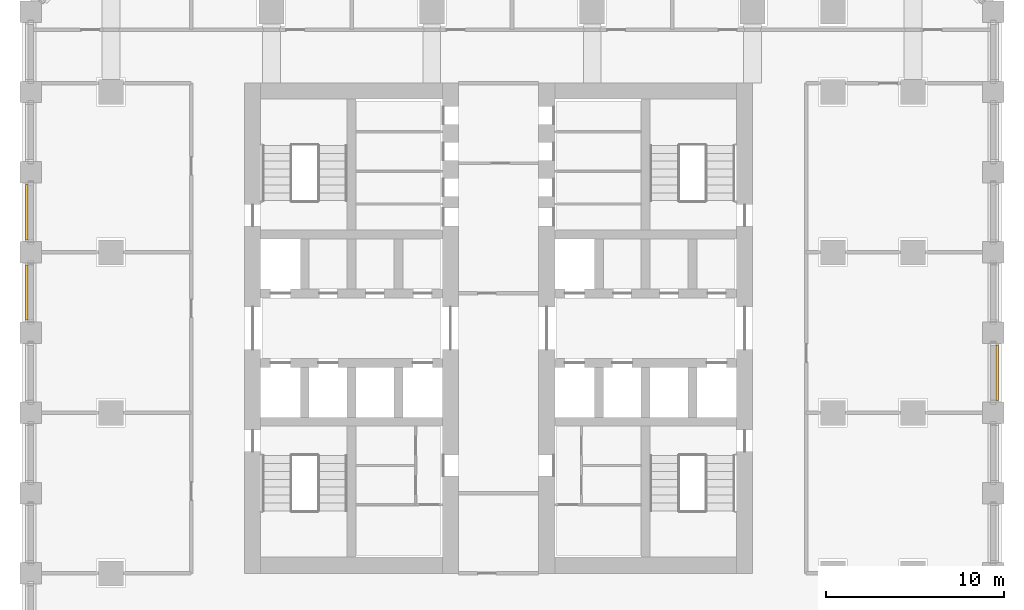
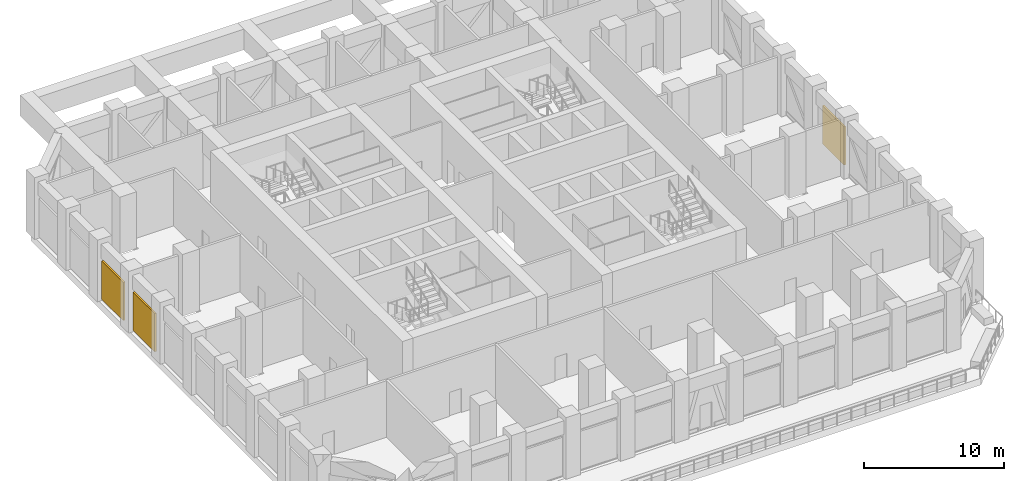
# One storey, part 16 of 20: 3 shading devices.
"""IFC4 building model written with IfcOpenShell, lengths in metres."""

from ifc_helpers import new_model, si_unit, direction, frame, origin, origin_2d, place, context, subcontext, project, spatial, rectangle, extrude, material, layer, layer_set, type_object, element, save


model = new_model("IFC4")

# Units and contexts
model_context = context("Model", 3, precision=1e-05, world=origin(), true_north=direction((0.0, 1.0)))
body_context = subcontext(model_context, "Body", "Model", "MODEL_VIEW")
ifc_project = project(units=[si_unit("LENGTHUNIT", "METRE"), si_unit("AREAUNIT", "SQUARE_METRE"), si_unit("VOLUMEUNIT", "CUBIC_METRE"), si_unit("PLANEANGLEUNIT", "RADIAN"), si_unit("MASSUNIT", "GRAM", prefix="KILO")], contexts=[model_context])

# Site, building, storey
site_placement = place(None, origin())
site = spatial("IfcSite", under=ifc_project, at=site_placement, CompositionType="ELEMENT")
building_placement = place(site_placement, origin())
building = spatial("IfcBuilding", under=site, at=building_placement, Name="Corbel Stack Research Tower", CompositionType="ELEMENT")
storey_placement = place(building_placement, frame((0.0, 0.0, 76.60009765625)))
storey = spatial("IfcBuildingStorey", under=building, at=storey_placement, Name="L17", CompositionType="ELEMENT", Elevation=76.60009765625)

# Shading devices
ifc_material = material(Name="Aluminium louvre", Category="aluminium")
ifc_layer = layer(ifc_material, 0.14990234375)
ifc_layer_set = layer_set([ifc_layer], Name="Aluminium louvre")
shading_device_type = type_object("IfcShadingDeviceType", Name="Plant louvre 150", PredefinedType="USERDEFINED", material=ifc_layer_set)
for number, where, z_axis, x_axis, name in (
    (1, (31.72509765625, 2.25, 0.199951171875), (0.0, 0.0, 1.0), (0.0, 1.0, 0.0), "Plant louvre L17 E05"),
    (2, (-22.72509765625, 11.25, 0.199951171875), (0.0, 0.0, 1.0), (0.0, -1.0, 0.0), "Plant louvre L17 W03"),
    (3, (-22.72509765625, 6.75, 0.199951171875), (0.0, 0.0, 1.0), (0.0, -1.0, 0.0), "Plant louvre L17 W04"),
):
    element("IfcShadingDevice", number, at=place(storey_placement, frame(where, z_axis=z_axis, x_axis=x_axis)), inside=storey, type_object=shading_device_type, Name=name, ObjectType="LOUVRE", PredefinedType="USERDEFINED", context=body_context, shape_type="SweptSolid", body=[
        extrude(rectangle(XDim=3.10009765625, YDim=0.14990234375, at=origin_2d()), origin(), (0.0, 0.0, 1.0), 3.35009765625),
    ])

save(model, "model.ifc")
